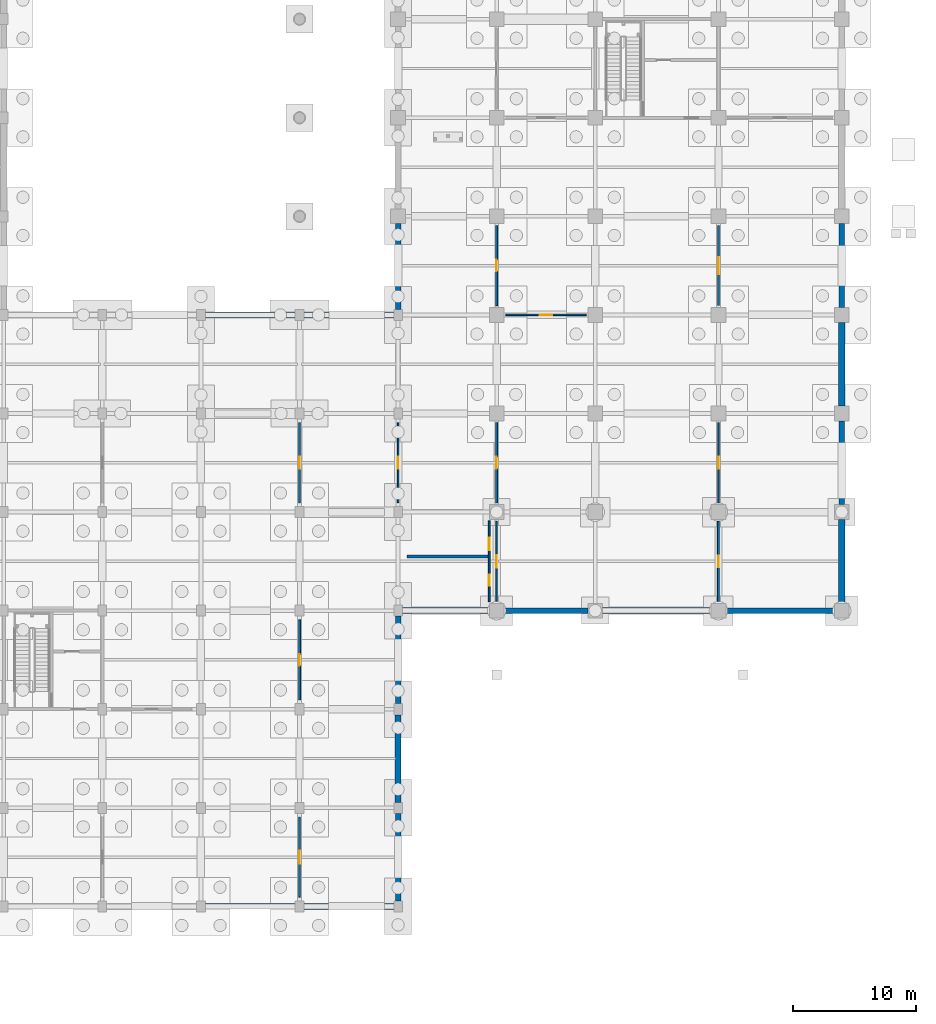
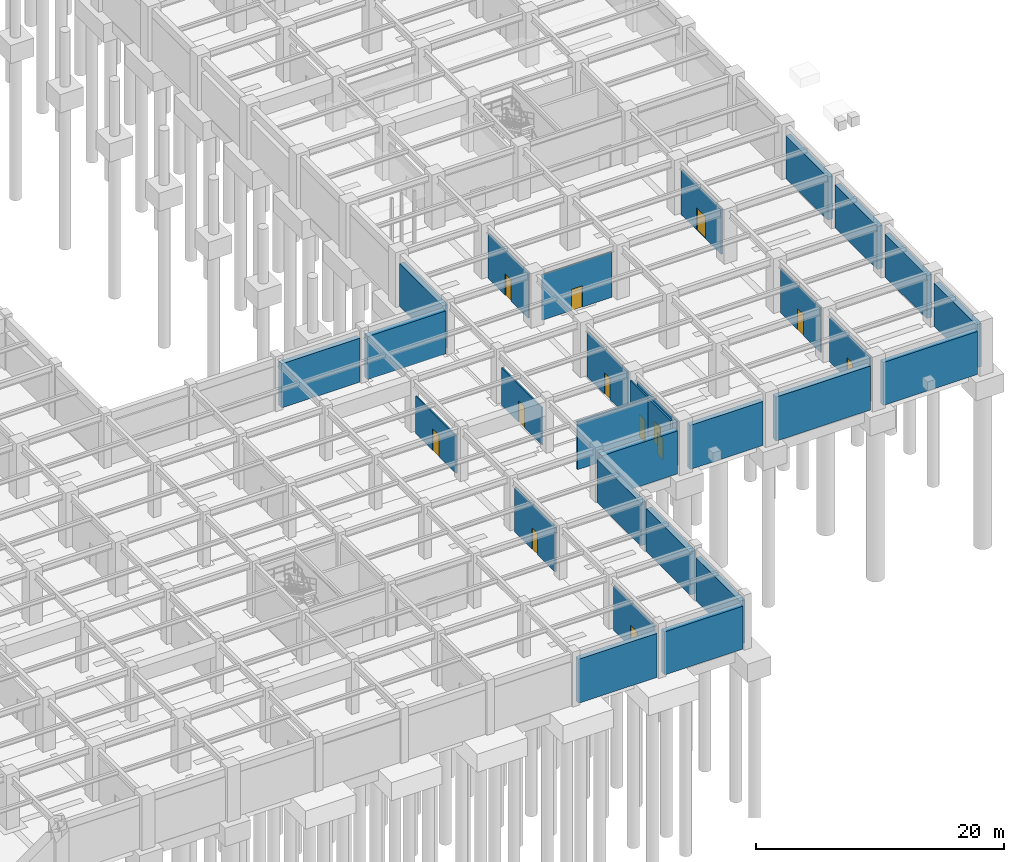
# One storey, part 75 of 97: 29 walls, 13 doors, 13 openings.
"""IFC4 building model written with IfcOpenShell, lengths in metres."""

from ifc_helpers import new_model, si_unit, direction, frame, frame_2d, origin, place, context, subcontext, project, spatial, rectangle, extrude, material, layer, layer_set, type_object, element, fill, save


model = new_model("IFC4")

# Units and contexts
model_context = context("Model", 3, precision=1e-05, world=origin(), true_north=direction((0.0, 1.0)))
body_context = subcontext(model_context, "Body", "Model", "MODEL_VIEW")
ifc_project = project(units=[si_unit("LENGTHUNIT", "METRE"), si_unit("AREAUNIT", "SQUARE_METRE"), si_unit("VOLUMEUNIT", "CUBIC_METRE"), si_unit("PLANEANGLEUNIT", "RADIAN"), si_unit("MASSUNIT", "GRAM", prefix="KILO")], contexts=[model_context])

# Site, building, storey
site_placement = place(None, origin())
site = spatial("IfcSite", under=ifc_project, at=site_placement, CompositionType="ELEMENT")
building_placement = place(site_placement, origin())
building = spatial("IfcBuilding", under=site, at=building_placement, Name="Haebicheon Civic Stadium", CompositionType="ELEMENT")
storey_placement = place(building_placement, frame((0.0, 0.0, -5.39990234375)))
storey = spatial("IfcBuildingStorey", under=building, at=storey_placement, Name="B1", CompositionType="ELEMENT", Elevation=-5.39990234375)

# Walls
ifc_material_1 = material(Name="Concrete C40/50", Category="concrete")
ifc_layer_1 = layer(ifc_material_1, 0.4599609375, Name="Concrete C40/50")
ifc_layer_set_1 = layer_set([ifc_layer_1], Name="Concrete C40/50")
wall_type_1 = type_object("IfcWallType", Name="EW-RET-460", PredefinedType="STANDARD", material=ifc_layer_set_1)
for number, where, z_axis, x_axis, name in (
    (1, (184.35009765625, 0.0, 0.0), (0.0, 0.0, 1.0), (1.0, 0.0, 0.0), "B1 retaining wall 23-00-S"),
    (2, (184.35009765625, 48.0, 0.0), (0.0, 0.0, 1.0), (1.0, 0.0, 0.0), "B1 retaining wall 23-06-N"),
):
    element("IfcWall", number, at=place(storey_placement, frame(where, z_axis=z_axis, x_axis=x_axis)), inside=storey, type_object=wall_type_1, material=ifc_layer_set_1, Name=name, PredefinedType="STANDARD", context=body_context, shape_type="SweptSolid", body=[
        extrude(rectangle(XDim=7.2998046875, YDim=0.4599609375, at=frame_2d((3.64990234375, 0.0))), origin(), (0.0, 0.0, 1.0), 4.33984375),
    ])
for number, where, z_axis, x_axis, name in (
    (3, (200.0, 0.449951171875, 0.0), (0.0, 0.0, 1.0), (0.0, 1.0, 0.0), "B1 retaining wall 25-00-E"),
    (4, (200.0, 16.449951171875, 0.0), (0.0, 0.0, 1.0), (0.0, 1.0, 0.0), "B1 retaining wall 25-02-E"),
):
    element("IfcWall", number, at=place(storey_placement, frame(where, z_axis=z_axis, x_axis=x_axis)), inside=storey, type_object=wall_type_1, material=ifc_layer_set_1, Name=name, PredefinedType="STANDARD", context=body_context, shape_type="SweptSolid", body=[
        extrude(rectangle(XDim=7.10009765625, YDim=0.4599609375, at=frame_2d((3.550048828125, 0.0))), origin(), (0.0, 0.0, 1.0), 4.239990234375),
    ])
wall_1_placement = place(storey_placement, frame((200.0, 48.449951171875, 0.0), z_axis=(0.0, 0.0, 1.0), x_axis=(0.0, 1.0, 0.0)))
element("IfcWall", 5, at=wall_1_placement, inside=storey, type_object=wall_type_1, material=ifc_layer_set_1, Name="B1 retaining wall 25-06-W", PredefinedType="STANDARD", context=body_context, shape_type="SweptSolid", body=[
    extrude(rectangle(XDim=6.949951171875, YDim=0.4599609375, at=frame_2d((3.47509765625, 0.0))), origin(), (0.0, 0.0, 1.0), 4.239990234375),
])
wall_2_placement = place(storey_placement, frame((208.60009765625, 24.0, 0.0), z_axis=(0.0, 0.0, 1.0), x_axis=(1.0, 0.0, 0.0)))
element("IfcWall", 6, at=wall_2_placement, inside=storey, type_object=wall_type_1, material=ifc_layer_set_1, Name="B1 retaining wall 26-03-S", PredefinedType="STANDARD", context=body_context, shape_type="SweptSolid", body=[
    extrude(rectangle(XDim=6.7998046875, YDim=0.4599609375, at=frame_2d((3.39990234375, 0.0))), origin(), (0.0, 0.0, 1.0), 4.33984375),
])
wall_3_placement = place(storey_placement, frame((226.60009765625, 24.0, 0.0), z_axis=(0.0, 0.0, 1.0), x_axis=(1.0, 0.0, 0.0)))
element("IfcWall", 7, at=wall_3_placement, inside=storey, type_object=wall_type_1, material=ifc_layer_set_1, Name="B1 retaining wall 28-03-S", PredefinedType="STANDARD", context=body_context, shape_type="SweptSolid", body=[
    extrude(rectangle(XDim=8.7998046875, YDim=0.4599609375, at=frame_2d((4.39990234375, 0.0))), origin(), (0.0, 0.0, 1.0), 4.239990234375),
])
for number, where, z_axis, x_axis, name in (
    (8, (236.0, 32.60009765625, 0.0), (0.0, 0.0, 1.0), (0.0, 1.0, 0.0), "B1 retaining wall 29-04-E"),
    (9, (236.0, 48.60009765625, 0.0), (0.0, 0.0, 1.0), (0.0, 1.0, 0.0), "B1 retaining wall 29-06-E"),
):
    element("IfcWall", number, at=place(storey_placement, frame(where, z_axis=z_axis, x_axis=x_axis)), inside=storey, type_object=wall_type_1, material=ifc_layer_set_1, Name=name, PredefinedType="STANDARD", context=body_context, shape_type="SweptSolid", body=[
        extrude(rectangle(XDim=6.7998046875, YDim=0.4599609375, at=frame_2d((3.39990234375, 0.0))), origin(), (0.0, 0.0, 1.0), 4.239990234375),
    ])
ifc_material_2 = material(Name="Concrete C40/50", Category="concrete")
ifc_layer_2 = layer(ifc_material_2, 0.5, Name="Concrete C40/50")
ifc_layer_set_2 = layer_set([ifc_layer_2], Name="Concrete C40/50")
wall_type_2 = type_object("IfcWallType", Name="EW-RET-500", PredefinedType="STANDARD", material=ifc_layer_set_2)
wall_4_placement = place(storey_placement, frame((192.35009765625, 0.0, 0.0), z_axis=(0.0, 0.0, 1.0), x_axis=(1.0, 0.0, 0.0)))
element("IfcWall", 10, at=wall_4_placement, inside=storey, type_object=wall_type_2, material=ifc_layer_set_2, Name="B1 retaining wall 24-00-S", PredefinedType="STANDARD", context=body_context, shape_type="SweptSolid", body=[
    extrude(rectangle(XDim=7.2998046875, YDim=0.5, at=frame_2d((3.64990234375, 0.0))), origin(), (0.0, 0.0, 1.0), 4.239990234375),
])
wall_5_placement = place(storey_placement, frame((200.0, 8.449951171875, 0.0), z_axis=(0.0, 0.0, 1.0), x_axis=(0.0, 1.0, 0.0)))
element("IfcWall", 11, at=wall_5_placement, inside=storey, type_object=wall_type_2, material=ifc_layer_set_2, Name="B1 retaining wall 25-01-E", PredefinedType="STANDARD", context=body_context, shape_type="SweptSolid", body=[
    extrude(rectangle(XDim=7.10009765625, YDim=0.5, at=frame_2d((3.550048828125, 0.0))), origin(), (0.0, 0.0, 1.0), 4.239990234375),
])
wall_6_placement = place(storey_placement, frame((192.35009765625, 48.0, 0.0), z_axis=(0.0, 0.0, 1.0), x_axis=(1.0, 0.0, 0.0)))
element("IfcWall", 12, at=wall_6_placement, inside=storey, type_object=wall_type_2, material=ifc_layer_set_2, Name="B1 retaining wall 24-06-N", PredefinedType="STANDARD", context=body_context, shape_type="SweptSolid", body=[
    extrude(rectangle(XDim=7.2998046875, YDim=0.5, at=frame_2d((3.64990234375, 0.0))), origin(), (0.0, 0.0, 1.0), 4.239990234375),
])
wall_7_placement = place(storey_placement, frame((200.35009765625, 24.0, 0.0), z_axis=(0.0, 0.0, 1.0), x_axis=(1.0, 0.0, 0.0)))
element("IfcWall", 13, at=wall_7_placement, inside=storey, type_object=wall_type_2, material=ifc_layer_set_2, Name="B1 retaining wall 25-03-S", PredefinedType="STANDARD", context=body_context, shape_type="SweptSolid", body=[
    extrude(rectangle(XDim=7.0498046875, YDim=0.5, at=frame_2d((3.52490234375, 0.0))), origin(), (0.0, 0.0, 1.0), 4.239990234375),
])
wall_8_placement = place(storey_placement, frame((216.60009765625, 24.0, 0.0), z_axis=(0.0, 0.0, 1.0), x_axis=(1.0, 0.0, 0.0)))
element("IfcWall", 14, at=wall_8_placement, inside=storey, type_object=wall_type_2, material=ifc_layer_set_2, Name="B1 retaining wall 27-03-S", PredefinedType="STANDARD", context=body_context, shape_type="SweptSolid", body=[
    extrude(rectangle(XDim=8.7998046875, YDim=0.5, at=frame_2d((4.39990234375, 0.0))), origin(), (0.0, 0.0, 1.0), 4.33984375),
])
for number, where, z_axis, x_axis, name in (
    (15, (236.0, 24.60009765625, 0.0), (0.0, 0.0, 1.0), (0.0, 1.0, 0.0), "B1 retaining wall 29-03-E"),
    (16, (236.0, 40.60009765625, 0.0), (0.0, 0.0, 1.0), (0.0, 1.0, 0.0), "B1 retaining wall 29-05-E"),
):
    element("IfcWall", number, at=place(storey_placement, frame(where, z_axis=z_axis, x_axis=x_axis)), inside=storey, type_object=wall_type_2, material=ifc_layer_set_2, Name=name, PredefinedType="STANDARD", context=body_context, shape_type="SweptSolid", body=[
        extrude(rectangle(XDim=6.7998046875, YDim=0.5, at=frame_2d((3.39990234375, 0.0))), origin(), (0.0, 0.0, 1.0), 4.239990234375),
    ])
ifc_material_3 = material(Name="Concrete C35/45", Category="concrete")
ifc_layer_3 = layer(ifc_material_3, 0.219970703125, Name="Concrete C35/45")
ifc_layer_set_3 = layer_set([ifc_layer_3], Name="Concrete C35/45")
wall_type_3 = type_object("IfcWallType", Name="IW-PLB-220", PredefinedType="PLUMBINGWALL", material=ifc_layer_set_3)
wall_9_placement = place(storey_placement, frame((200.719970703125, 28.39990234375, 0.0), z_axis=(0.0, 0.0, 1.0), x_axis=(1.0, 0.0, 0.0)))
element("IfcWall", 17, at=wall_9_placement, inside=storey, type_object=wall_type_3, material=ifc_layer_set_3, Name="B1 sanitary plumbing chase wall 03", PredefinedType="PLUMBINGWALL", context=body_context, shape_type="SweptSolid", body=[
    extrude(rectangle(XDim=6.56005859375, YDim=0.219970703125, at=frame_2d((3.280029296875, 0.0))), origin(), (0.0, 0.0, 1.0), 4.68994140625),
])

# Wall, opening, door
ifc_material_4 = material(Name="Gypsum plasterboard on steel studs", Category="gypsum")
ifc_layer_4 = layer(ifc_material_4, 0.1201171875, Name="Gypsum plasterboard on steel studs")
ifc_layer_set_4 = layer_set([ifc_layer_4], Name="Gypsum plasterboard on steel studs")
wall_type_4 = type_object("IfcWallType", Name="IW-PRT-120", PredefinedType="PARTITIONING", material=ifc_layer_set_4)
wall_10_placement = place(storey_placement, frame((208.75, 48.0, 0.0), z_axis=(0.0, 0.0, 1.0), x_axis=(1.0, 0.0, 0.0)))
wall_10 = element("IfcWall", 18, at=wall_10_placement, inside=storey, type_object=wall_type_4, material=ifc_layer_set_4, Name="B1 Youth Coaching Briefing Room partition wall", PredefinedType="PARTITIONING", context=body_context, shape_type="SweptSolid", body=[
    extrude(rectangle(XDim=6.5, YDim=0.1201171875, at=frame_2d((3.25, 0.0))), origin(), (0.0, 0.0, 1.0), 4.489990234375),
])
opening_1_placement = place(wall_10_placement, frame((2.75, 0.0, 0.0)))
opening_1 = element("IfcOpeningElement", 19, at=opening_1_placement, cuts=wall_10, Name="Opening D-B1-054", PredefinedType="OPENING", context=body_context, shape_type="SweptSolid", body=[
    extrude(rectangle(XDim=1.0, YDim=2.10009765625, at=frame_2d((0.5, 1.050048828125))), frame((0.0, 0.070068359375, 0.0), z_axis=(0.0, -1.0, 0.0), x_axis=(1.0, 0.0, 0.0)), (0.0, 0.0, 1.0), 0.14013671875),
])
ifc_material_5 = material(Name="Engineered hardwood timber", Category="wood")
door_type_1 = type_object("IfcDoorType", Name="ID-RM-1000", OperationType="NOTDEFINED", PredefinedType="DOOR", material=ifc_material_5)
door_1_placement = place(opening_1_placement, origin())
door_1 = element("IfcDoor", 20, at=door_1_placement, inside=storey, type_object=door_type_1, material=ifc_material_5, Name="B1 Youth Coaching Briefing Room entrance door D-B1-054", OperationType="SINGLE_SWING_RIGHT", OverallHeight=2.10009765625, OverallWidth=1.0, PredefinedType="DOOR", context=body_context, shape_type="SweptSolid", body=[
    extrude(rectangle(XDim=1.0, YDim=2.10009765625, at=frame_2d((0.5, 1.050048828125))), frame((0.0, 0.02490234375, 0.0), z_axis=(0.0, -1.0, 0.0), x_axis=(1.0, 0.0, 0.0)), (0.0, 0.0, 1.0), 0.050048828125),
])
fill(opening_1, door_1)

wall_11_placement = place(storey_placement, frame((226.0, 32.75, 0.0), z_axis=(0.0, 0.0, 1.0), x_axis=(0.0, 1.0, 0.0)))
wall_11 = element("IfcWall", 21, at=wall_11_placement, inside=storey, type_object=wall_type_4, material=ifc_layer_set_4, Name="B1 Youth Coaching Briefing Room partition wall", PredefinedType="PARTITIONING", context=body_context, shape_type="SweptSolid", body=[
    extrude(rectangle(XDim=6.5, YDim=0.1201171875, at=frame_2d((3.25, 0.0))), origin(), (0.0, 0.0, 1.0), 4.389892578125),
])
opening_2_placement = place(wall_11_placement, frame((2.75, 0.0, 0.0)))
opening_2 = element("IfcOpeningElement", 22, at=opening_2_placement, cuts=wall_11, Name="Opening D-B1-062", PredefinedType="OPENING", context=body_context, shape_type="SweptSolid", body=[
    extrude(rectangle(XDim=1.0, YDim=2.10009765625, at=frame_2d((0.5, 1.050048828125))), frame((0.0, 0.070068359375, 0.0), z_axis=(0.0, -1.0, 0.0), x_axis=(1.0, 0.0, 0.0)), (0.0, 0.0, 1.0), 0.14013671875),
])
door_2_placement = place(opening_2_placement, origin())
door_2 = element("IfcDoor", 23, at=door_2_placement, inside=storey, type_object=door_type_1, material=ifc_material_5, Name="B1 Youth Coaching Briefing Room entrance door D-B1-062", OperationType="SINGLE_SWING_RIGHT", OverallHeight=2.10009765625, OverallWidth=1.0, PredefinedType="DOOR", context=body_context, shape_type="SweptSolid", body=[
    extrude(rectangle(XDim=1.0, YDim=2.10009765625, at=frame_2d((0.5, 1.050048828125))), frame((0.0, 0.02490234375, 0.0), z_axis=(0.0, -1.0, 0.0), x_axis=(1.0, 0.0, 0.0)), (0.0, 0.0, 1.0), 0.050048828125),
])
fill(opening_2, door_2)

ifc_material_6 = material(Name="Gypsum plasterboard on steel studs", Category="gypsum")
ifc_layer_5 = layer(ifc_material_6, 0.1298828125, Name="Gypsum plasterboard on steel studs")
ifc_layer_set_5 = layer_set([ifc_layer_5], Name="Gypsum plasterboard on steel studs")
wall_type_5 = type_object("IfcWallType", Name="IW-PRT-130", PredefinedType="PARTITIONING", material=ifc_layer_set_5)
wall_12_placement = place(storey_placement, frame((200.0, 32.75, 0.0), z_axis=(0.0, 0.0, 1.0), x_axis=(0.0, 1.0, 0.0)))
wall_12 = element("IfcWall", 24, at=wall_12_placement, inside=storey, type_object=wall_type_5, material=ifc_layer_set_5, Name="B1 Community Team Changing Room partition wall", PredefinedType="PARTITIONING", context=body_context, shape_type="SweptSolid", body=[
    extrude(rectangle(XDim=6.5, YDim=0.1298828125, at=frame_2d((3.25, 0.0))), origin(), (0.0, 0.0, 1.0), 3.68994140625),
])
opening_3_placement = place(wall_12_placement, frame((2.75, 0.0, 0.0)))
opening_3 = element("IfcOpeningElement", 25, at=opening_3_placement, cuts=wall_12, Name="Opening D-B1-044", PredefinedType="OPENING", context=body_context, shape_type="SweptSolid", body=[
    extrude(rectangle(XDim=1.0, YDim=2.10009765625, at=frame_2d((0.5, 1.050048828125))), frame((0.0, 0.074951171875, 0.0), z_axis=(0.0, -1.0, 0.0), x_axis=(1.0, 0.0, 0.0)), (0.0, 0.0, 1.0), 0.14990234375),
])
door_3_placement = place(opening_3_placement, origin())
door_3 = element("IfcDoor", 26, at=door_3_placement, inside=storey, type_object=door_type_1, material=ifc_material_5, Name="B1 Community Team Changing Room entrance door D-B1-044", OperationType="SINGLE_SWING_RIGHT", OverallHeight=2.10009765625, OverallWidth=1.0, PredefinedType="DOOR", context=body_context, shape_type="SweptSolid", body=[
    extrude(rectangle(XDim=1.0, YDim=2.10009765625, at=frame_2d((0.5, 1.050048828125))), frame((0.0, 0.02490234375, 0.0), z_axis=(0.0, -1.0, 0.0), x_axis=(1.0, 0.0, 0.0)), (0.0, 0.0, 1.0), 0.050048828125),
])
fill(opening_3, door_3)

wall_13_placement = place(storey_placement, frame((208.0, 24.75, 0.0), z_axis=(0.0, 0.0, 1.0), x_axis=(0.0, 1.0, 0.0)))
wall_13 = element("IfcWall", 27, at=wall_13_placement, inside=storey, type_object=wall_type_5, material=ifc_layer_set_5, Name="B1 Community Team Changing Room partition wall", PredefinedType="PARTITIONING", context=body_context, shape_type="SweptSolid", body=[
    extrude(rectangle(XDim=6.5, YDim=0.1298828125, at=frame_2d((3.25, 0.0))), origin(), (0.0, 0.0, 1.0), 4.389892578125),
])
opening_4_placement = place(wall_13_placement, frame((2.75, 0.0, 0.0)))
opening_4 = element("IfcOpeningElement", 28, at=opening_4_placement, cuts=wall_13, Name="Opening D-B1-052", PredefinedType="OPENING", context=body_context, shape_type="SweptSolid", body=[
    extrude(rectangle(XDim=1.0, YDim=2.10009765625, at=frame_2d((0.5, 1.050048828125))), frame((0.0, 0.074951171875, 0.0), z_axis=(0.0, -1.0, 0.0), x_axis=(1.0, 0.0, 0.0)), (0.0, 0.0, 1.0), 0.14990234375),
])
door_4_placement = place(opening_4_placement, origin())
door_4 = element("IfcDoor", 29, at=door_4_placement, inside=storey, type_object=door_type_1, material=ifc_material_5, Name="B1 Community Team Changing Room entrance door D-B1-052", OperationType="SINGLE_SWING_RIGHT", OverallHeight=2.10009765625, OverallWidth=1.0, PredefinedType="DOOR", context=body_context, shape_type="SweptSolid", body=[
    extrude(rectangle(XDim=1.0, YDim=2.10009765625, at=frame_2d((0.5, 1.050048828125))), frame((0.0, 0.02490234375, 0.0), z_axis=(0.0, -1.0, 0.0), x_axis=(1.0, 0.0, 0.0)), (0.0, 0.0, 1.0), 0.050048828125),
])
fill(opening_4, door_4)

wall_14_placement = place(storey_placement, frame((192.0, 32.75, 0.0), z_axis=(0.0, 0.0, 1.0), x_axis=(0.0, 1.0, 0.0)))
wall_14 = element("IfcWall", 30, at=wall_14_placement, inside=storey, type_object=wall_type_5, material=ifc_layer_set_5, Name="B1 Broadcast Fibre Patch Room partition wall", PredefinedType="PARTITIONING", context=body_context, shape_type="SweptSolid", body=[
    extrude(rectangle(XDim=6.5, YDim=0.1298828125, at=frame_2d((3.25, 0.0))), origin(), (0.0, 0.0, 1.0), 3.68994140625),
])
opening_5_placement = place(wall_14_placement, frame((2.75, 0.0, 0.0)))
opening_5 = element("IfcOpeningElement", 31, at=opening_5_placement, cuts=wall_14, Name="Opening D-B1-092", PredefinedType="OPENING", context=body_context, shape_type="SweptSolid", body=[
    extrude(rectangle(XDim=1.0, YDim=2.10009765625, at=frame_2d((0.5, 1.050048828125))), frame((0.0, 0.074951171875, 0.0), z_axis=(0.0, -1.0, 0.0), x_axis=(1.0, 0.0, 0.0)), (0.0, 0.0, 1.0), 0.14990234375),
])
door_5_placement = place(opening_5_placement, origin())
door_5 = element("IfcDoor", 32, at=door_5_placement, inside=storey, type_object=door_type_1, material=ifc_material_5, Name="B1 Broadcast Fibre Patch Room entrance door D-B1-092", OperationType="SINGLE_SWING_RIGHT", OverallHeight=2.10009765625, OverallWidth=1.0, PredefinedType="DOOR", context=body_context, shape_type="SweptSolid", body=[
    extrude(rectangle(XDim=1.0, YDim=2.10009765625, at=frame_2d((0.5, 1.050048828125))), frame((0.0, 0.02490234375, 0.0), z_axis=(0.0, -1.0, 0.0), x_axis=(1.0, 0.0, 0.0)), (0.0, 0.0, 1.0), 0.050048828125),
])
fill(opening_5, door_5)

# Wall, openings, doors
ifc_material_7 = material(Name="Gypsum plasterboard on steel studs", Category="gypsum")
ifc_layer_6 = layer(ifc_material_7, 0.14990234375, Name="Gypsum plasterboard on steel studs")
ifc_layer_set_6 = layer_set([ifc_layer_6], Name="Gypsum plasterboard on steel studs")
wall_type_6 = type_object("IfcWallType", Name="IW-PRT-150", PredefinedType="PARTITIONING", material=ifc_layer_set_6)
wall_15_placement = place(storey_placement, frame((207.39990234375, 24.719970703125, 0.0), z_axis=(0.0, 0.0, 1.0), x_axis=(0.0, 1.0, 0.0)))
wall_15 = element("IfcWall", 33, at=wall_15_placement, inside=storey, type_object=wall_type_6, material=ifc_layer_set_6, Name="B1 sanitary enclosure front wall 03", PredefinedType="PARTITIONING", context=body_context, shape_type="SweptSolid", body=[
    extrude(rectangle(XDim=6.56005859375, YDim=0.14990234375, at=frame_2d((3.280029296875, 0.0))), origin(), (0.0, 0.0, 1.0), 4.68994140625),
])
opening_6_placement = place(wall_15_placement, frame((1.300048828125, 0.0, 0.0)))
opening_6 = element("IfcOpeningElement", 34, at=opening_6_placement, cuts=wall_15, Name="Opening D-B1-WC-03A", PredefinedType="OPENING", context=body_context, shape_type="SweptSolid", body=[
    extrude(rectangle(XDim=0.89990234375, YDim=2.10009765625, at=frame_2d((0.449951171875, 1.050048828125))), frame((0.0, 0.0849609375, 0.0), z_axis=(0.0, -1.0, 0.0), x_axis=(1.0, 0.0, 0.0)), (0.0, 0.0, 1.0), 0.169921875),
])
opening_7_placement = place(wall_15_placement, frame((4.199951171875, 0.0, 0.0)))
opening_7 = element("IfcOpeningElement", 35, at=opening_7_placement, cuts=wall_15, Name="Opening D-B1-AWC-03B", PredefinedType="OPENING", context=body_context, shape_type="SweptSolid", body=[
    extrude(rectangle(XDim=1.0, YDim=2.14990234375, at=frame_2d((0.5, 1.074951171875))), frame((0.0, 0.0849609375, 0.0), z_axis=(0.0, -1.0, 0.0), x_axis=(1.0, 0.0, 0.0)), (0.0, 0.0, 1.0), 0.169921875),
])
ifc_material_8 = material(Name="Anodised aluminium 6063-T6", Category="aluminium")
door_type_2 = type_object("IfcDoorType", Name="ID-AWC-1000", OperationType="NOTDEFINED", PredefinedType="DOOR", material=ifc_material_8)
door_6_placement = place(opening_7_placement, origin())
door_6 = element("IfcDoor", 36, at=door_6_placement, inside=storey, type_object=door_type_2, material=ifc_material_8, Name="B1 accessible WC door 03", OperationType="SINGLE_SWING_LEFT", OverallHeight=2.14990234375, OverallWidth=1.0, PredefinedType="DOOR", context=body_context, shape_type="SweptSolid", body=[
    extrude(rectangle(XDim=1.0, YDim=2.14990234375, at=frame_2d((0.5, 1.074951171875))), frame((0.0, 0.02490234375, 0.0), z_axis=(0.0, -1.0, 0.0), x_axis=(1.0, 0.0, 0.0)), (0.0, 0.0, 1.0), 0.050048828125),
])
fill(opening_7, door_6)
ifc_material_9 = material(Name="Anodised aluminium 6063-T6", Category="aluminium")
door_type_3 = type_object("IfcDoorType", Name="ID-WC-0900", OperationType="NOTDEFINED", PredefinedType="DOOR", material=ifc_material_9)
door_7_placement = place(opening_6_placement, origin())
door_7 = element("IfcDoor", 37, at=door_7_placement, inside=storey, type_object=door_type_3, material=ifc_material_9, Name="B1 public restroom door 03", OperationType="SINGLE_SWING_RIGHT", OverallHeight=2.10009765625, OverallWidth=0.89990234375, PredefinedType="DOOR", context=body_context, shape_type="SweptSolid", body=[
    extrude(rectangle(XDim=0.89990234375, YDim=2.10009765625, at=frame_2d((0.449951171875, 1.050048828125))), frame((0.0, 0.02490234375, 0.0), z_axis=(0.0, -1.0, 0.0), x_axis=(1.0, 0.0, 0.0)), (0.0, 0.0, 1.0), 0.050048828125),
])
fill(opening_6, door_7)

# Wall, opening, door
wall_16_placement = place(storey_placement, frame((192.0, 0.75, 0.0), z_axis=(0.0, 0.0, 1.0), x_axis=(0.0, 1.0, 0.0)))
wall_16 = element("IfcWall", 38, at=wall_16_placement, inside=storey, type_object=wall_type_6, material=ifc_layer_set_6, Name="B1 Athlete Hydrotherapy Recovery Suite partition wall", PredefinedType="PARTITIONING", context=body_context, shape_type="SweptSolid", body=[
    extrude(rectangle(XDim=6.5, YDim=0.14990234375, at=frame_2d((3.25, 0.0))), origin(), (0.0, 0.0, 1.0), 4.389892578125),
])
opening_8_placement = place(wall_16_placement, frame((2.72509765625, 0.0, 0.0)))
opening_8 = element("IfcOpeningElement", 39, at=opening_8_placement, cuts=wall_16, Name="Opening D-B1-090", PredefinedType="OPENING", context=body_context, shape_type="SweptSolid", body=[
    extrude(rectangle(XDim=1.050048828125, YDim=2.14990234375, at=frame_2d((0.52490234375, 1.074951171875))), frame((0.0, 0.0849609375, 0.0), z_axis=(0.0, -1.0, 0.0), x_axis=(1.0, 0.0, 0.0)), (0.0, 0.0, 1.0), 0.169921875),
])
ifc_material_10 = material(Name="Engineered hardwood timber", Category="wood")
door_type_4 = type_object("IfcDoorType", Name="ID-RM-1050", OperationType="NOTDEFINED", PredefinedType="DOOR", material=ifc_material_10)
door_8_placement = place(opening_8_placement, origin())
door_8 = element("IfcDoor", 40, at=door_8_placement, inside=storey, type_object=door_type_4, material=ifc_material_10, Name="B1 Athlete Hydrotherapy Recovery Suite entrance door D-B1-090", OperationType="SINGLE_SWING_RIGHT", OverallHeight=2.14990234375, OverallWidth=1.050048828125, PredefinedType="DOOR", context=body_context, shape_type="SweptSolid", body=[
    extrude(rectangle(XDim=1.050048828125, YDim=2.14990234375, at=frame_2d((0.52490234375, 1.074951171875))), frame((0.0, 0.02490234375, 0.0), z_axis=(0.0, -1.0, 0.0), x_axis=(1.0, 0.0, 0.0)), (0.0, 0.0, 1.0), 0.050048828125),
])
fill(opening_8, door_8)

ifc_material_11 = material(Name="Concrete C35/45", Category="concrete")
ifc_layer_7 = layer(ifc_material_11, 0.159912109375, Name="Concrete C35/45")
ifc_layer_set_7 = layer_set([ifc_layer_7], Name="Concrete C35/45")
wall_type_7 = type_object("IfcWallType", Name="IW-PRT-160", PredefinedType="PARTITIONING", material=ifc_layer_set_7)
wall_17_placement = place(storey_placement, frame((208.0, 48.75, 0.0), z_axis=(0.0, 0.0, 1.0), x_axis=(0.0, 1.0, 0.0)))
wall_17 = element("IfcWall", 41, at=wall_17_placement, inside=storey, type_object=wall_type_7, material=ifc_layer_set_7, Name="B1 Athletics Track Equipment Store partition wall", PredefinedType="PARTITIONING", context=body_context, shape_type="SweptSolid", body=[
    extrude(rectangle(XDim=6.5, YDim=0.159912109375, at=frame_2d((3.25, 0.0))), origin(), (0.0, 0.0, 1.0), 4.389892578125),
])
opening_9_placement = place(wall_17_placement, frame((2.77490234375, 0.0, 0.0)))
opening_9 = element("IfcOpeningElement", 42, at=opening_9_placement, cuts=wall_17, Name="Opening D-B1-045", PredefinedType="OPENING", context=body_context, shape_type="SweptSolid", body=[
    extrude(rectangle(XDim=0.949951171875, YDim=2.10009765625, at=frame_2d((0.47509765625, 1.050048828125))), frame((0.0, 0.08984375, 0.0), z_axis=(0.0, -1.0, 0.0), x_axis=(1.0, 0.0, 0.0)), (0.0, 0.0, 1.0), 0.179931640625),
])
ifc_material_12 = material(Name="Engineered hardwood timber", Category="wood")
door_type_5 = type_object("IfcDoorType", Name="ID-RM-0950", OperationType="NOTDEFINED", PredefinedType="DOOR", material=ifc_material_12)
door_9_placement = place(opening_9_placement, origin())
door_9 = element("IfcDoor", 43, at=door_9_placement, inside=storey, type_object=door_type_5, material=ifc_material_12, Name="B1 Athletics Track Equipment Store entrance door D-B1-045", OperationType="SINGLE_SWING_LEFT", OverallHeight=2.10009765625, OverallWidth=0.949951171875, PredefinedType="DOOR", context=body_context, shape_type="SweptSolid", body=[
    extrude(rectangle(XDim=0.949951171875, YDim=2.10009765625, at=frame_2d((0.47509765625, 1.050048828125))), frame((0.0, 0.02490234375, 0.0), z_axis=(0.0, -1.0, 0.0), x_axis=(1.0, 0.0, 0.0)), (0.0, 0.0, 1.0), 0.050048828125),
])
fill(opening_9, door_9)

wall_18_placement = place(storey_placement, frame((208.0, 32.75, 0.0), z_axis=(0.0, 0.0, 1.0), x_axis=(0.0, 1.0, 0.0)))
wall_18 = element("IfcWall", 44, at=wall_18_placement, inside=storey, type_object=wall_type_7, material=ifc_layer_set_7, Name="B1 Athletics Track Equipment Store partition wall", PredefinedType="PARTITIONING", context=body_context, shape_type="SweptSolid", body=[
    extrude(rectangle(XDim=6.5, YDim=0.159912109375, at=frame_2d((3.25, 0.0))), origin(), (0.0, 0.0, 1.0), 4.389892578125),
])
opening_10_placement = place(wall_18_placement, frame((2.77490234375, 0.0, 0.0)))
opening_10 = element("IfcOpeningElement", 45, at=opening_10_placement, cuts=wall_18, Name="Opening D-B1-053", PredefinedType="OPENING", context=body_context, shape_type="SweptSolid", body=[
    extrude(rectangle(XDim=0.949951171875, YDim=2.10009765625, at=frame_2d((0.47509765625, 1.050048828125))), frame((0.0, 0.08984375, 0.0), z_axis=(0.0, -1.0, 0.0), x_axis=(1.0, 0.0, 0.0)), (0.0, 0.0, 1.0), 0.179931640625),
])
door_10_placement = place(opening_10_placement, origin())
door_10 = element("IfcDoor", 46, at=door_10_placement, inside=storey, type_object=door_type_5, material=ifc_material_12, Name="B1 Athletics Track Equipment Store entrance door D-B1-053", OperationType="SINGLE_SWING_LEFT", OverallHeight=2.10009765625, OverallWidth=0.949951171875, PredefinedType="DOOR", context=body_context, shape_type="SweptSolid", body=[
    extrude(rectangle(XDim=0.949951171875, YDim=2.10009765625, at=frame_2d((0.47509765625, 1.050048828125))), frame((0.0, 0.02490234375, 0.0), z_axis=(0.0, -1.0, 0.0), x_axis=(1.0, 0.0, 0.0)), (0.0, 0.0, 1.0), 0.050048828125),
])
fill(opening_10, door_10)

wall_19_placement = place(storey_placement, frame((226.0, 24.75, 0.0), z_axis=(0.0, 0.0, 1.0), x_axis=(0.0, 1.0, 0.0)))
wall_19 = element("IfcWall", 47, at=wall_19_placement, inside=storey, type_object=wall_type_7, material=ifc_layer_set_7, Name="B1 Athletics Track Equipment Store partition wall", PredefinedType="PARTITIONING", context=body_context, shape_type="SweptSolid", body=[
    extrude(rectangle(XDim=6.5, YDim=0.159912109375, at=frame_2d((3.25, 0.0))), origin(), (0.0, 0.0, 1.0), 4.389892578125),
])
opening_11_placement = place(wall_19_placement, frame((2.77490234375, 0.0, 0.0)))
opening_11 = element("IfcOpeningElement", 48, at=opening_11_placement, cuts=wall_19, Name="Opening D-B1-061", PredefinedType="OPENING", context=body_context, shape_type="SweptSolid", body=[
    extrude(rectangle(XDim=0.949951171875, YDim=2.10009765625, at=frame_2d((0.47509765625, 1.050048828125))), frame((0.0, 0.08984375, 0.0), z_axis=(0.0, -1.0, 0.0), x_axis=(1.0, 0.0, 0.0)), (0.0, 0.0, 1.0), 0.179931640625),
])
door_11_placement = place(opening_11_placement, origin())
door_11 = element("IfcDoor", 49, at=door_11_placement, inside=storey, type_object=door_type_5, material=ifc_material_12, Name="B1 Athletics Track Equipment Store entrance door D-B1-061", OperationType="SINGLE_SWING_LEFT", OverallHeight=2.10009765625, OverallWidth=0.949951171875, PredefinedType="DOOR", context=body_context, shape_type="SweptSolid", body=[
    extrude(rectangle(XDim=0.949951171875, YDim=2.10009765625, at=frame_2d((0.47509765625, 1.050048828125))), frame((0.0, 0.02490234375, 0.0), z_axis=(0.0, -1.0, 0.0), x_axis=(1.0, 0.0, 0.0)), (0.0, 0.0, 1.0), 0.050048828125),
])
fill(opening_11, door_11)

wall_20_placement = place(storey_placement, frame((192.0, 16.75, 0.0), z_axis=(0.0, 0.0, 1.0), x_axis=(0.0, 1.0, 0.0)))
wall_20 = element("IfcWall", 50, at=wall_20_placement, inside=storey, type_object=wall_type_7, material=ifc_layer_set_7, Name="B1 Hospitality Cellar and Dry Store partition wall", PredefinedType="PARTITIONING", context=body_context, shape_type="SweptSolid", body=[
    extrude(rectangle(XDim=6.5, YDim=0.159912109375, at=frame_2d((3.25, 0.0))), origin(), (0.0, 0.0, 1.0), 4.389892578125),
])
opening_12_placement = place(wall_20_placement, frame((2.77490234375, 0.0, 0.0)))
opening_12 = element("IfcOpeningElement", 51, at=opening_12_placement, cuts=wall_20, Name="Opening D-B1-091", PredefinedType="OPENING", context=body_context, shape_type="SweptSolid", body=[
    extrude(rectangle(XDim=0.949951171875, YDim=2.10009765625, at=frame_2d((0.47509765625, 1.050048828125))), frame((0.0, 0.08984375, 0.0), z_axis=(0.0, -1.0, 0.0), x_axis=(1.0, 0.0, 0.0)), (0.0, 0.0, 1.0), 0.179931640625),
])
door_12_placement = place(opening_12_placement, origin())
door_12 = element("IfcDoor", 52, at=door_12_placement, inside=storey, type_object=door_type_5, material=ifc_material_12, Name="B1 Hospitality Cellar and Dry Store entrance door D-B1-091", OperationType="SINGLE_SWING_LEFT", OverallHeight=2.10009765625, OverallWidth=0.949951171875, PredefinedType="DOOR", context=body_context, shape_type="SweptSolid", body=[
    extrude(rectangle(XDim=0.949951171875, YDim=2.10009765625, at=frame_2d((0.47509765625, 1.050048828125))), frame((0.0, 0.02490234375, 0.0), z_axis=(0.0, -1.0, 0.0), x_axis=(1.0, 0.0, 0.0)), (0.0, 0.0, 1.0), 0.050048828125),
])
fill(opening_12, door_12)

ifc_material_13 = material(Name="Concrete C35/45", Category="concrete")
ifc_layer_8 = layer(ifc_material_13, 0.179931640625, Name="Concrete C35/45")
ifc_layer_set_8 = layer_set([ifc_layer_8], Name="Concrete C35/45")
wall_type_8 = type_object("IfcWallType", Name="IW-PRT-180", PredefinedType="PARTITIONING", material=ifc_layer_set_8)
wall_21_placement = place(storey_placement, frame((226.0, 48.75, 0.0), z_axis=(0.0, 0.0, 1.0), x_axis=(0.0, 1.0, 0.0)))
wall_21 = element("IfcWall", 53, at=wall_21_placement, inside=storey, type_object=wall_type_8, material=ifc_layer_set_8, Name="B1 District Heating Exchange Plant partition wall", PredefinedType="PARTITIONING", context=body_context, shape_type="SweptSolid", body=[
    extrude(rectangle(XDim=6.5, YDim=0.179931640625, at=frame_2d((3.25, 0.0))), origin(), (0.0, 0.0, 1.0), 4.389892578125),
])
opening_13_placement = place(wall_21_placement, frame((2.550048828125, 0.0, 0.0)))
opening_13 = element("IfcOpeningElement", 54, at=opening_13_placement, cuts=wall_21, Name="Opening D-B1-063", PredefinedType="OPENING", context=body_context, shape_type="SweptSolid", body=[
    extrude(rectangle(XDim=1.39990234375, YDim=2.199951171875, at=frame_2d((0.699951171875, 1.10009765625))), frame((0.0, 0.099853515625, 0.0), z_axis=(0.0, -1.0, 0.0), x_axis=(1.0, 0.0, 0.0)), (0.0, 0.0, 1.0), 0.199951171875),
])
ifc_material_14 = material(Name="Galvanised painted steel SM355", Category="steel")
door_type_6 = type_object("IfcDoorType", Name="ID-PLT-1400", OperationType="NOTDEFINED", PredefinedType="DOOR", material=ifc_material_14)
door_13_placement = place(opening_13_placement, origin())
door_13 = element("IfcDoor", 55, at=door_13_placement, inside=storey, type_object=door_type_6, material=ifc_material_14, Name="B1 District Heating Exchange Plant entrance door D-B1-063", OperationType="SINGLE_SWING_LEFT", OverallHeight=2.199951171875, OverallWidth=1.39990234375, PredefinedType="DOOR", context=body_context, shape_type="SweptSolid", body=[
    extrude(rectangle(XDim=1.39990234375, YDim=2.199951171875, at=frame_2d((0.699951171875, 1.10009765625))), frame((0.0, 0.02490234375, 0.0), z_axis=(0.0, -1.0, 0.0), x_axis=(1.0, 0.0, 0.0)), (0.0, 0.0, 1.0), 0.050048828125),
])
fill(opening_13, door_13)

save(model, "model.ifc")
